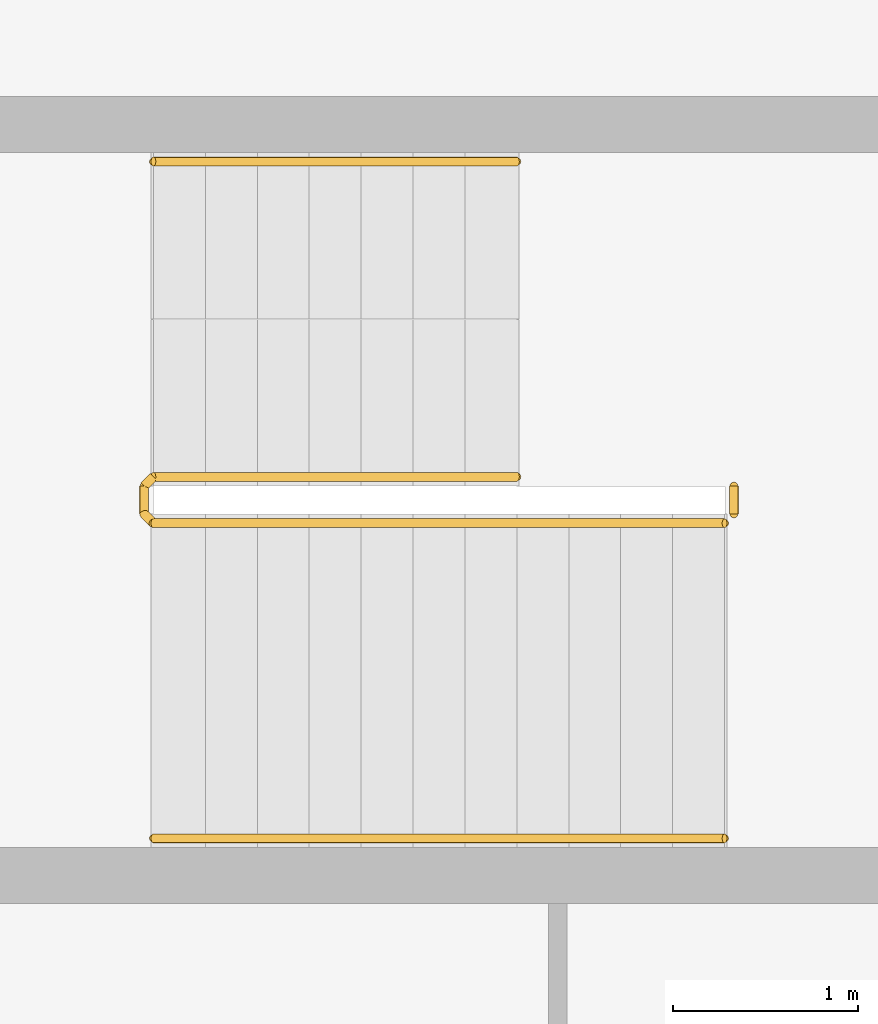
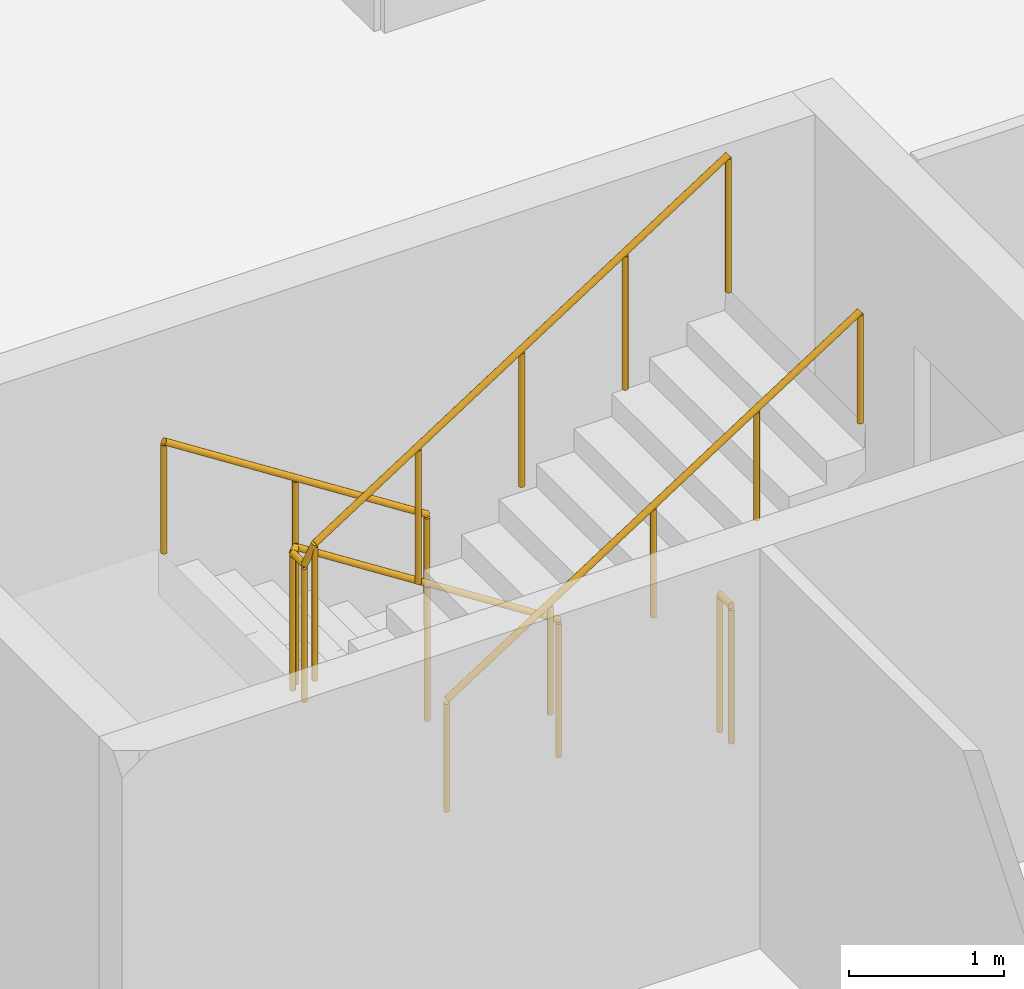
# One storey, part 21 of 24: 4 railings.
"""IFC4 building model written with IfcOpenShell, lengths in metres."""

from ifc_helpers import new_model, si_unit, direction, frame, origin, origin_2d, place, context, subcontext, project, spatial, circle, extrude, material, type_object, element, save


model = new_model("IFC4")

# Units and contexts
model_context = context("Model", 3, precision=1e-05, world=origin(), true_north=direction((0.0, 1.0)))
body_context = subcontext(model_context, "Body", "Model", "MODEL_VIEW")
ifc_project = project(units=[si_unit("LENGTHUNIT", "METRE"), si_unit("AREAUNIT", "SQUARE_METRE"), si_unit("VOLUMEUNIT", "CUBIC_METRE"), si_unit("PLANEANGLEUNIT", "RADIAN"), si_unit("MASSUNIT", "GRAM", prefix="KILO")], contexts=[model_context])

# Site, building, storey
site_placement = place(None, origin())
site = spatial("IfcSite", under=ifc_project, at=site_placement, CompositionType="ELEMENT")
building_placement = place(site_placement, origin())
building = spatial("IfcBuilding", under=site, at=building_placement, Name="Wharfspan Tower", CompositionType="ELEMENT")
storey_placement = place(building_placement, frame((0.0, 0.0, 88.300049)))
storey = spatial("IfcBuildingStorey", under=building, at=storey_placement, Name="L19", CompositionType="ELEMENT", Elevation=88.300049)

# Railings
ifc_material = material(Name="Steel S355J2", Category="steel")
railing_type_1 = type_object("IfcRailingType", Name="Stair guard 1100", PredefinedType="GUARDRAIL", material=ifc_material)
railing_1_placement = place(storey_placement, frame((5.780029, 22.625, 0.179932)))
element("IfcRailing", 1, at=railing_1_placement, inside=storey, type_object=railing_type_1, Name="L19 ST3 stair guard 1", PredefinedType="GUARDRAIL", context=body_context, shape_type="SweptSolid", body=[
    extrude(circle(Radius=0.023926, at=origin_2d()), frame((0.0, 0.0, 1.076172), z_axis=(-0.841172, 0.0, 0.540768), x_axis=(0.0, -1.0, 0.0)), (0.0, 0.0, 1.0), 2.330078),
    extrude(circle(Radius=0.023926, at=origin_2d()), frame((-1.959961, 0.0, 2.335938), z_axis=(-0.707107, -0.707107, 0.0), x_axis=(0.707107, -0.707107, 0.0)), (0.0, 0.0, 1.0), 0.070801),
    extrude(circle(Radius=0.023926, at=origin_2d()), frame((-2.01001, -0.050049, 2.335938), z_axis=(0.0, -1.0, 0.0), x_axis=(1.0, 0.0, 0.0)), (0.0, 0.0, 1.0), 0.149902),
    extrude(circle(Radius=0.023926, at=origin_2d()), frame((-2.01001, -0.199951, 2.335938), z_axis=(0.258848, -0.258848, 0.930589), x_axis=(0.707107, 0.707107, 0.0)), (0.0, 0.0, 1.0), 0.193359),
    extrude(circle(Radius=0.023926, at=origin_2d()), frame((-1.959961, -0.25, 2.516113), z_axis=(0.841168, 0.0, 0.540774), x_axis=(0.0, 1.0, 0.0)), (0.0, 0.0, 1.0), 3.661377),
    extrude(circle(Radius=0.020996, at=origin_2d()), origin(), (0.0, 0.0, 1.0), 1.052002),
    extrude(circle(Radius=0.020996, at=origin_2d()), frame((-0.97998, 0.0, 0.629883)), (0.0, 0.0, 1.0), 1.052002),
    extrude(circle(Radius=0.020996, at=origin_2d()), frame((-1.959961, 0.0, 1.26001)), (0.0, 0.0, 1.0), 1.052002),
    extrude(circle(Radius=0.020996, at=origin_2d()), frame((-2.01001, -0.050049, 1.26001)), (0.0, 0.0, 1.0), 1.052002),
    extrude(circle(Radius=0.020996, at=origin_2d()), frame((-2.01001, -0.199951, 1.26001)), (0.0, 0.0, 1.0), 1.052002),
    extrude(circle(Radius=0.020996, at=origin_2d()), frame((-1.959961, -0.25, 1.439941)), (0.0, 0.0, 1.0), 1.052002),
    extrude(circle(Radius=0.020996, at=origin_2d()), frame((-1.189941, -0.25, 1.935059)), (0.0, 0.0, 1.0), 1.052002),
    extrude(circle(Radius=0.020996, at=origin_2d()), frame((-0.419922, -0.25, 2.429932)), (0.0, 0.0, 1.0), 1.052002),
    extrude(circle(Radius=0.020996, at=origin_2d()), frame((0.349854, -0.25, 2.924805)), (0.0, 0.0, 1.0), 1.052002),
    extrude(circle(Radius=0.020996, at=origin_2d()), frame((1.119873, -0.25, 3.419922)), (0.0, 0.0, 1.0), 1.052002),
])
railing_2_placement = place(storey_placement, frame((6.949951, 22.574951, 0.0)))
element("IfcRailing", 2, at=railing_2_placement, inside=storey, type_object=railing_type_1, Name="L19 ST3 stair guard 2", PredefinedType="GUARDRAIL", context=body_context, shape_type="SweptSolid", body=[
    extrude(circle(Radius=0.023926, at=origin_2d()), frame((0.0, 0.0, 1.076172), z_axis=(0.0, -1.0, 0.0), x_axis=(1.0, 0.0, 0.0)), (0.0, 0.0, 1.0), 0.149902),
    extrude(circle(Radius=0.020996, at=origin_2d()), origin(), (0.0, 0.0, 1.0), 1.052002),
    extrude(circle(Radius=0.020996, at=origin_2d()), frame((0.0, -0.149902, 0.0)), (0.0, 0.0, 1.0), 1.052002),
])
railing_type_2 = type_object("IfcRailingType", Name="Stair handrail 900", PredefinedType="HANDRAIL", material=ifc_material)
railing_3_placement = place(storey_placement, frame((5.780029, 24.324951, 0.179932)))
element("IfcRailing", 3, at=railing_3_placement, inside=storey, type_object=railing_type_2, Name="L19 ST3 stair handrail 1", PredefinedType="HANDRAIL", context=body_context, shape_type="SweptSolid", body=[
    extrude(circle(Radius=0.023926, at=origin_2d()), frame((0.0, 0.0, 0.875977), z_axis=(-0.841172, 0.0, 0.540768), x_axis=(0.0, -1.0, 0.0)), (0.0, 0.0, 1.0), 2.330078),
    extrude(circle(Radius=0.020996, at=origin_2d()), origin(), (0.0, 0.0, 1.0), 0.851807),
    extrude(circle(Radius=0.020996, at=origin_2d()), frame((-0.97998, 0.0, 0.629883)), (0.0, 0.0, 1.0), 0.851807),
    extrude(circle(Radius=0.020996, at=origin_2d()), frame((-1.959961, 0.0, 1.26001)), (0.0, 0.0, 1.0), 0.851807),
])
railing_4_placement = place(storey_placement, frame((3.820068, 20.675049, 1.619873)))
element("IfcRailing", 4, at=railing_4_placement, inside=storey, type_object=railing_type_2, Name="L19 ST3 stair handrail 2", PredefinedType="HANDRAIL", context=body_context, shape_type="SweptSolid", body=[
    extrude(circle(Radius=0.023926, at=origin_2d()), frame((0.0, 0.0, 0.875977), z_axis=(0.841168, 0.0, 0.540774), x_axis=(0.0, 1.0, 0.0)), (0.0, 0.0, 1.0), 3.661377),
    extrude(circle(Radius=0.020996, at=origin_2d()), origin(), (0.0, 0.0, 1.0), 0.851807),
    extrude(circle(Radius=0.020996, at=origin_2d()), frame((0.77002, 0.0, 0.495117)), (0.0, 0.0, 1.0), 0.851807),
    extrude(circle(Radius=0.020996, at=origin_2d()), frame((1.540039, 0.0, 0.98999)), (0.0, 0.0, 1.0), 0.851807),
    extrude(circle(Radius=0.020996, at=origin_2d()), frame((2.309814, 0.0, 1.484863)), (0.0, 0.0, 1.0), 0.851807),
    extrude(circle(Radius=0.020996, at=origin_2d()), frame((3.079834, 0.0, 1.97998)), (0.0, 0.0, 1.0), 0.851807),
])

save(model, "model.ifc")
